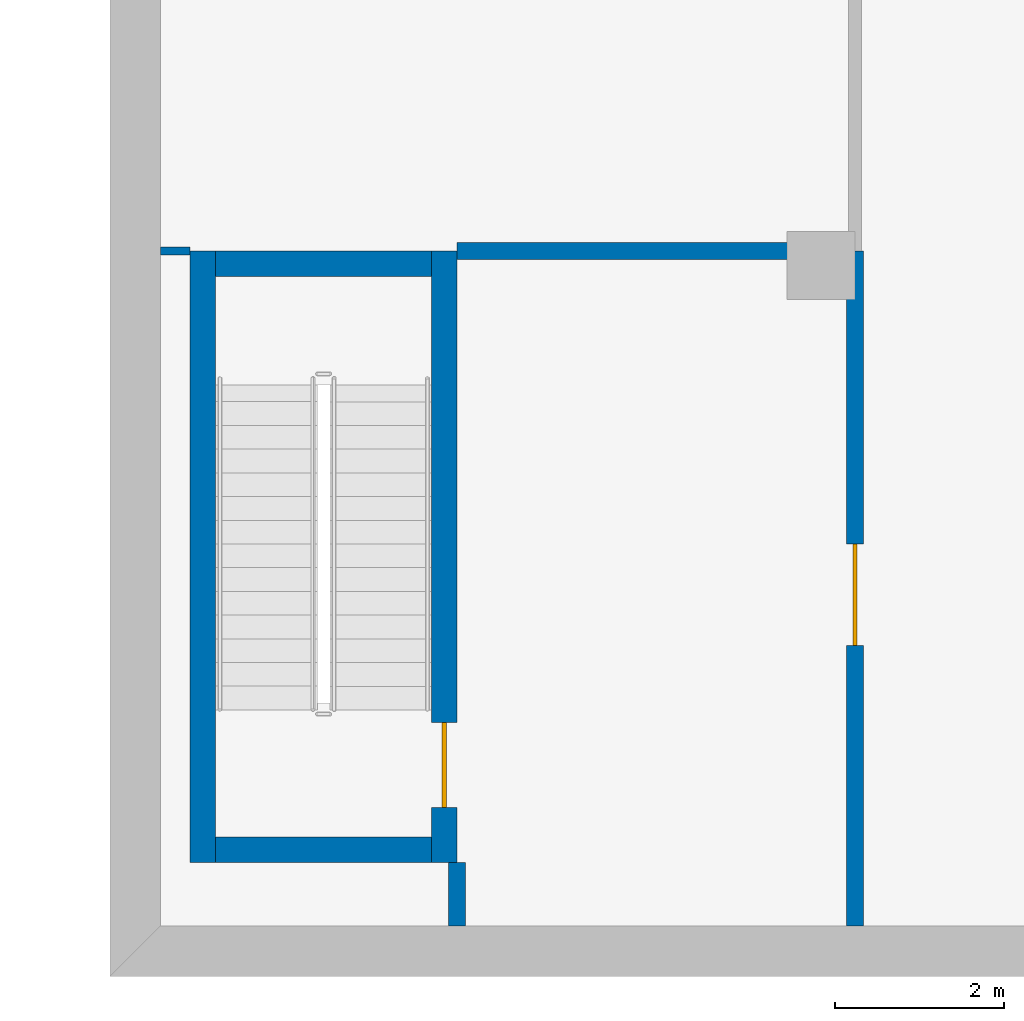
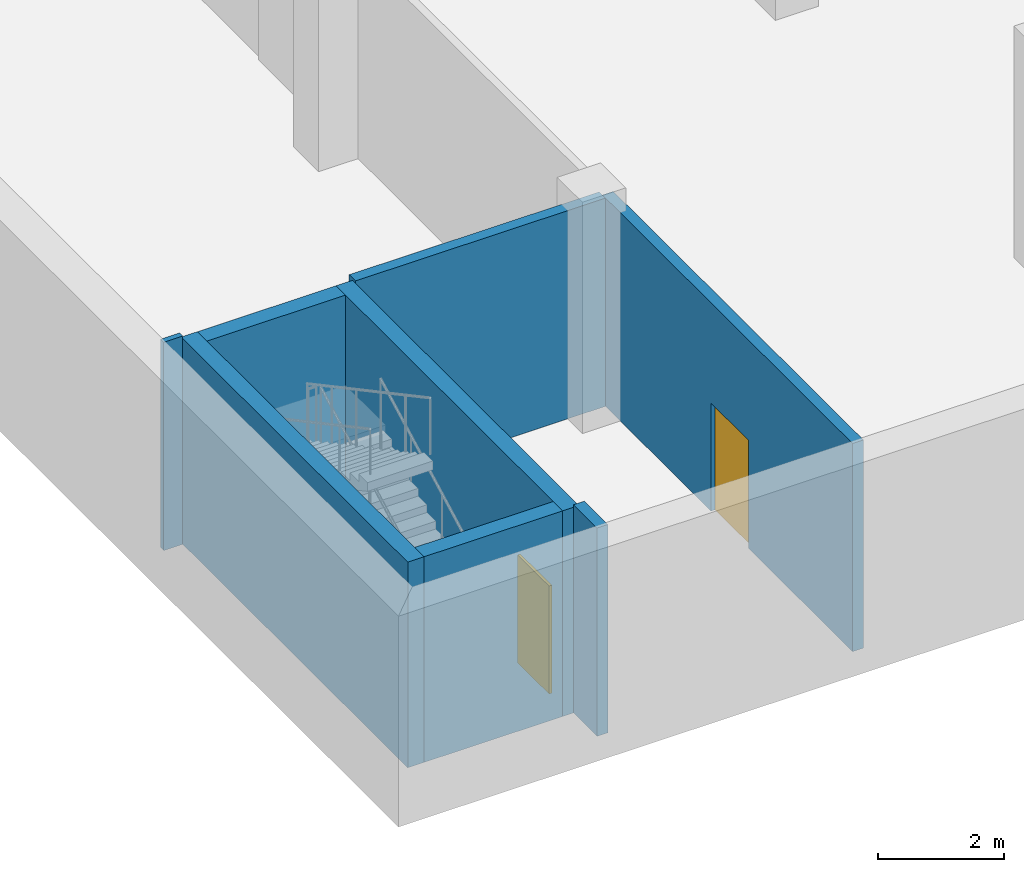
# One storey, part 2 of 21: 8 walls, 2 doors, 2 openings.
"""IFC4 building model written with IfcOpenShell, lengths in metres."""

from ifc_helpers import new_model, si_unit, direction, frame, frame_2d, origin, place, context, subcontext, project, spatial, rectangle, extrude, material, layer, layer_set, type_object, element, fill, save


model = new_model("IFC4")

# Units and contexts
model_context = context("Model", 3, precision=1e-05, world=origin(), true_north=direction((0.0, 1.0)))
body_context = subcontext(model_context, "Body", "Model", "MODEL_VIEW")
ifc_project = project(units=[si_unit("LENGTHUNIT", "METRE"), si_unit("AREAUNIT", "SQUARE_METRE"), si_unit("VOLUMEUNIT", "CUBIC_METRE"), si_unit("PLANEANGLEUNIT", "RADIAN"), si_unit("MASSUNIT", "GRAM", prefix="KILO")], contexts=[model_context])

# Site, building, storey
site_placement = place(None, origin())
site = spatial("IfcSite", under=ifc_project, at=site_placement, CompositionType="ELEMENT")
building_placement = place(site_placement, origin())
building = spatial("IfcBuilding", under=site, at=building_placement, Name="Trine Commons Tower", CompositionType="ELEMENT")
storey_placement = place(building_placement, frame((0.0, 0.0, -4.5)))
storey = spatial("IfcBuildingStorey", under=building, at=storey_placement, Name="B1", CompositionType="ELEMENT", Elevation=-4.5)

# Walls
ifc_material_1 = material(Name="Plasterboard on steel stud", Category="steel")
ifc_layer_1 = layer(ifc_material_1, 0.199951171875)
ifc_layer_set_1 = layer_set([ifc_layer_1], Name="Plasterboard on steel stud")
wall_type_1 = type_object("IfcWallType", Name="Fire wall 200 mm, EI 120", PredefinedType="PARTITIONING", material=ifc_layer_set_1)
wall_1_placement = place(storey_placement, frame((25.2998046875, 29.070068359375, 0.0), z_axis=(0.0, 0.0, 1.0), x_axis=(1.0, 0.0, 0.0)))
element("IfcWall", 1, at=wall_1_placement, inside=storey, type_object=wall_type_1, Name="Partition B1005", PredefinedType="PARTITIONING", context=body_context, shape_type="SweptSolid", body=[
    extrude(rectangle(XDim=4.60009765625, YDim=0.199951171875, at=frame_2d((2.300048828125, 0.0))), origin(), (0.0, 0.0, 1.0), 4.050048828125),
])
wall_2_placement = place(storey_placement, frame((25.300048828125, 21.10009765625, 0.0), z_axis=(0.0, 0.0, 1.0), x_axis=(0.0, 1.0, 0.0)))
element("IfcWall", 2, at=wall_2_placement, inside=storey, type_object=wall_type_1, Name="Partition B1007", PredefinedType="PARTITIONING", context=body_context, shape_type="SweptSolid", body=[
    extrude(rectangle(XDim=0.747802734375, YDim=0.199951171875, at=frame_2d((0.3740234375, 0.0))), origin(), (0.0, 0.0, 1.0), 4.050048828125),
])

# Wall, opening, door
wall_3_placement = place(storey_placement, frame((30.0, 29.0703125, 0.0), z_axis=(0.0, 0.0, 1.0), x_axis=(0.0, -1.0, 0.0)))
wall_3 = element("IfcWall", 3, at=wall_3_placement, inside=storey, type_object=wall_type_1, Name="Partition B1008", PredefinedType="PARTITIONING", context=body_context, shape_type="SweptSolid", body=[
    extrude(rectangle(XDim=7.97021484375, YDim=0.199951171875, at=frame_2d((3.985107421875, 0.0))), origin(), (0.0, 0.0, 1.0), 4.050048828125),
])
opening_1_placement = place(wall_3_placement, frame((3.460205078125, 0.0, 0.0)))
opening_1 = element("IfcOpeningElement", 4, at=opening_1_placement, cuts=wall_3, Name="Opening D-B101", PredefinedType="OPENING", context=body_context, shape_type="SweptSolid", body=[
    extrude(rectangle(XDim=1.199951171875, YDim=2.10009765625, at=frame_2d((0.60009765625, 1.050048828125))), frame((0.0, 0.10986328125, 0.0), z_axis=(0.0, -1.0, 0.0), x_axis=(1.0, 0.0, 0.0)), (0.0, 0.0, 1.0), 0.219970703125),
])
ifc_material_2 = material(Name="Timber fire door set", Category="wood")
door_type_1 = type_object("IfcDoorType", Name="Single swing door 1200x2100, FD60", OperationType="SINGLE_SWING_LEFT", PredefinedType="DOOR", material=ifc_material_2)
door_1_placement = place(opening_1_placement, origin())
door_1 = element("IfcDoor", 5, at=door_1_placement, inside=storey, type_object=door_type_1, Name="Door D-B101", OperationType="SINGLE_SWING_LEFT", OverallHeight=2.10009765625, OverallWidth=1.199951171875, PredefinedType="DOOR", context=body_context, shape_type="SweptSolid", body=[
    extrude(rectangle(XDim=1.199951171875, YDim=2.10009765625, at=frame_2d((0.60009765625, 1.050048828125))), frame((0.0, 0.02490234375, 0.0), z_axis=(0.0, -1.0, 0.0), x_axis=(1.0, 0.0, 0.0)), (0.0, 0.0, 1.0), 0.050048828125),
])
fill(opening_1, door_1)

# Wall
ifc_layer_2 = layer(ifc_material_1, 0.10009765625)
ifc_layer_set_2 = layer_set([ifc_layer_2], Name="Plasterboard on steel stud")
wall_type_2 = type_object("IfcWallType", Name="Partition wall 100 mm stud, not rated", PredefinedType="PARTITIONING", material=ifc_layer_set_2)
wall_4_placement = place(storey_placement, frame((21.800048828125, 29.070068359375, 0.0), z_axis=(0.0, 0.0, 1.0), x_axis=(1.0, 0.0, 0.0)))
element("IfcWall", 6, at=wall_4_placement, inside=storey, type_object=wall_type_2, Name="Partition B1004", PredefinedType="PARTITIONING", context=body_context, shape_type="SweptSolid", body=[
    extrude(rectangle(XDim=0.347900390625, YDim=0.10009765625, at=frame_2d((0.173828125, 0.0))), origin(), (0.0, 0.0, 1.0), 4.050048828125),
])

# Wall, opening, door
ifc_material_3 = material(Name="Concrete C40/50", Category="concrete")
ifc_layer_3 = layer(ifc_material_3, 0.300048828125)
ifc_layer_set_3 = layer_set([ifc_layer_3], Name="Concrete C40/50")
wall_type_3 = type_object("IfcWallType", Name="RC stair enclosure wall 300 mm, C40/50", PredefinedType="SHEAR", material=ifc_layer_set_3)
wall_5_placement = place(storey_placement, frame((25.14990234375, 21.85009765625, 0.0), z_axis=(0.0, 0.0, 1.0), x_axis=(0.0, 1.0, 0.0)))
wall_5 = element("IfcWall", 7, at=wall_5_placement, inside=storey, type_object=wall_type_3, Name="Stair STB1 enclosure wall B1", PredefinedType="SHEAR", context=body_context, shape_type="SweptSolid", body=[
    extrude(rectangle(XDim=7.219970703125, YDim=0.300048828125, at=frame_2d((3.60986328125, 0.0))), origin(), (0.0, 0.0, 1.0), 4.0),
])
opening_2_placement = place(wall_5_placement, frame((0.64990234375, 0.0, 0.0)))
opening_2 = element("IfcOpeningElement", 8, at=opening_2_placement, cuts=wall_5, Name="Opening D-S02", PredefinedType="OPENING", context=body_context, shape_type="SweptSolid", body=[
    extrude(rectangle(XDim=1.0, YDim=2.10009765625, at=frame_2d((0.5, 1.050048828125))), frame((0.0, 0.159912109375, 0.0), z_axis=(0.0, -1.0, 0.0), x_axis=(1.0, 0.0, 0.0)), (0.0, 0.0, 1.0), 0.320068359375),
])
ifc_material_4 = material(Name="Steel fire door FD90S", Category="steel")
door_type_2 = type_object("IfcDoorType", Name="Fire door 1000 x 2100, FD90S", OperationType="SINGLE_SWING_LEFT", PredefinedType="DOOR", material=ifc_material_4)
door_2_placement = place(opening_2_placement, origin())
door_2 = element("IfcDoor", 9, at=door_2_placement, inside=storey, type_object=door_type_2, Name="Stair STB1 door B1", OperationType="SINGLE_SWING_LEFT", OverallHeight=2.10009765625, OverallWidth=1.0, PredefinedType="DOOR", context=body_context, shape_type="SweptSolid", body=[
    extrude(rectangle(XDim=1.0, YDim=2.10009765625, at=frame_2d((0.5, 1.050048828125))), frame((0.0, 0.02490234375, 0.0), z_axis=(0.0, -1.0, 0.0), x_axis=(1.0, 0.0, 0.0)), (0.0, 0.0, 1.0), 0.050048828125),
])
fill(opening_2, door_2)

# Walls
wall_6_placement = place(storey_placement, frame((22.300048828125, 21.85009765625, 0.0), z_axis=(0.0, 0.0, 1.0), x_axis=(0.0, 1.0, 0.0)))
element("IfcWall", 10, at=wall_6_placement, inside=storey, type_object=wall_type_3, Name="Stair STB1 enclosure wall B1", PredefinedType="SHEAR", context=body_context, shape_type="SweptSolid", body=[
    extrude(rectangle(XDim=7.219970703125, YDim=0.300048828125, at=frame_2d((3.60986328125, 0.0))), origin(), (0.0, 0.0, 1.0), 4.0),
])
for number, where, z_axis, x_axis, name in (
    (11, (25.0, 22.0, 0.0), (0.0, 0.0, 1.0), (-1.0, 0.0, 0.0), "Stair STB1 enclosure wall B1"),
    (12, (25.0, 28.919921875, 0.0), (0.0, 0.0, 1.0), (-1.0, 0.0, 0.0), "Stair STB1 enclosure wall B1"),
):
    element("IfcWall", number, at=place(storey_placement, frame(where, z_axis=z_axis, x_axis=x_axis)), inside=storey, type_object=wall_type_3, Name=name, PredefinedType="SHEAR", context=body_context, shape_type="SweptSolid", body=[
        extrude(rectangle(XDim=2.550048828125, YDim=0.300048828125, at=frame_2d((1.27490234375, 0.0))), origin(), (0.0, 0.0, 1.0), 4.0),
    ])

save(model, "model.ifc")
